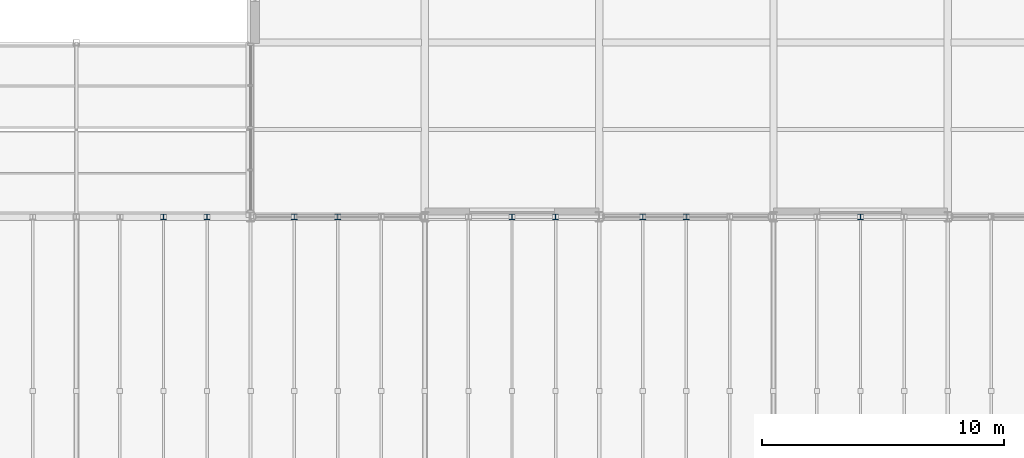
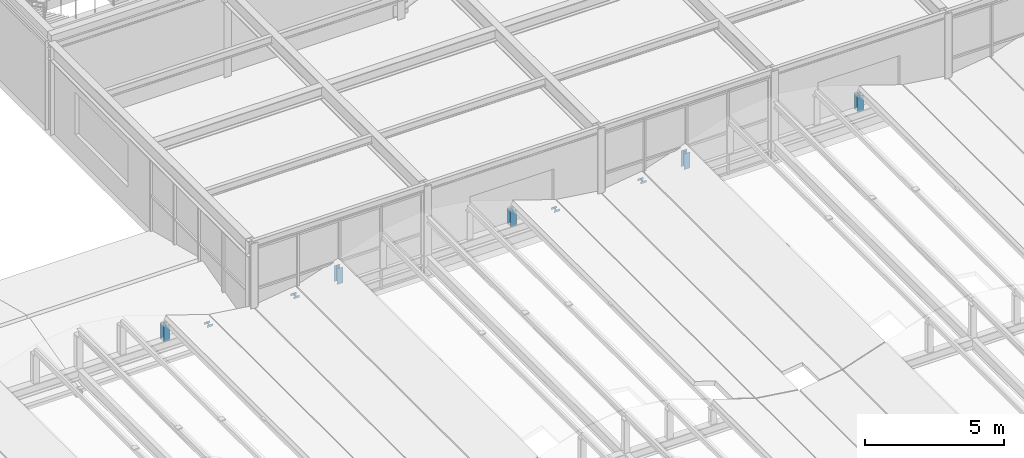
# One storey, part 48 of 83: 9 members.
"""IFC4 building model written with IfcOpenShell, lengths in metres."""

from ifc_helpers import new_model, si_unit, direction, frame, origin, origin_2d, place, context, subcontext, project, spatial, i_section, extrude, material, material_profile, profile_set, type_object, element, save


model = new_model("IFC4")

# Units and contexts
model_context = context("Model", 3, precision=1e-05, world=origin(), true_north=direction((0.0, 1.0)))
body_context = subcontext(model_context, "Body", "Model", "MODEL_VIEW")
ifc_project = project(units=[si_unit("LENGTHUNIT", "METRE"), si_unit("AREAUNIT", "SQUARE_METRE"), si_unit("VOLUMEUNIT", "CUBIC_METRE"), si_unit("PLANEANGLEUNIT", "RADIAN"), si_unit("MASSUNIT", "GRAM", prefix="KILO")], contexts=[model_context])

# Site, building, storey
site_placement = place(None, origin())
site = spatial("IfcSite", under=ifc_project, at=site_placement, CompositionType="ELEMENT")
building_placement = place(site_placement, origin())
building = spatial("IfcBuilding", under=site, at=building_placement, Name="Leyfeld Transit Interchange", CompositionType="ELEMENT")
storey_placement = place(building_placement, frame((0.0, 0.0, 5.39990234375)))
storey = spatial("IfcBuildingStorey", under=building, at=storey_placement, Name="L01", CompositionType="ELEMENT", Elevation=5.39990234375)

# Members
ifc_material = material(Name="Steel S355J2", Category="steel")
ifc_material_profile = material_profile(ifc_material, i_section(OverallWidth=0.239990234375, OverallDepth=0.22998046875, WebThickness=0.007568359375, FlangeThickness=0.011962890625, FilletRadius=0.02099609375, at=origin_2d()), Name="HEA 240")
ifc_profile_set = profile_set([ifc_material_profile], Name="Steel S355J2")
member_type = type_object("IfcMemberType", Name="MEM-CHD-HEA240", PredefinedType="CHORD", material=ifc_profile_set)
member_placement = place(storey_placement, frame((133.199951171875, 43.199951171875, 0.860107421875), z_axis=(0.0, 0.0, 1.0), x_axis=(1.0, 0.0, 0.0)))
element("IfcMember", 1, at=member_placement, inside=storey, type_object=member_type, Name="Wave Canopy Riser Post 125", PredefinedType="CHORD", context=body_context, shape_type="SweptSolid", body=[
    extrude(i_section(OverallWidth=0.239990234375, OverallDepth=0.22998046875, WebThickness=0.007568359375, FlangeThickness=0.011962890625, FilletRadius=0.02099609375, at=origin_2d()), origin(), (0.0, 0.0, 1.0), 0.696533203125),
])
for number, where, z_axis, x_axis, name in (
    (2, (135.0, 43.199951171875, 0.860107421875), (0.0, 0.0, 1.0), (1.0, 0.0, 0.0), "Wave Canopy Riser Post 132"),
    (3, (138.60009765625, 43.199951171875, 0.860107421875), (0.0, 0.0, 1.0), (1.0, 0.0, 0.0), "Wave Canopy Riser Post 142"),
):
    element("IfcMember", number, at=place(storey_placement, frame(where, z_axis=z_axis, x_axis=x_axis)), inside=storey, type_object=member_type, Name=name, PredefinedType="CHORD", context=body_context, shape_type="SweptSolid", body=[
        extrude(i_section(OverallWidth=0.239990234375, OverallDepth=0.22998046875, WebThickness=0.007568359375, FlangeThickness=0.011962890625, FilletRadius=0.02099609375, at=origin_2d()), origin(), (0.0, 0.0, 1.0), 0.0947265625),
    ])
for number, where, z_axis, x_axis, name in (
    (4, (140.39990234375, 43.199951171875, 0.860107421875), (0.0, 0.0, 1.0), (1.0, 0.0, 0.0), "Wave Canopy Riser Post 149"),
    (5, (147.60009765625, 43.199951171875, 0.860107421875), (0.0, 0.0, 1.0), (1.0, 0.0, 0.0), "Wave Canopy Riser Post 177"),
):
    element("IfcMember", number, at=place(storey_placement, frame(where, z_axis=z_axis, x_axis=x_axis)), inside=storey, type_object=member_type, Name=name, PredefinedType="CHORD", context=body_context, shape_type="SweptSolid", body=[
        extrude(i_section(OverallWidth=0.239990234375, OverallDepth=0.22998046875, WebThickness=0.007568359375, FlangeThickness=0.011962890625, FilletRadius=0.02099609375, at=origin_2d()), origin(), (0.0, 0.0, 1.0), 0.696533203125),
    ])
for number, where, z_axis, x_axis, name in (
    (6, (149.39990234375, 43.199951171875, 0.860107421875), (0.0, 0.0, 1.0), (1.0, 0.0, 0.0), "Wave Canopy Riser Post 184"),
    (7, (153.0, 43.199951171875, 0.860107421875), (0.0, 0.0, 1.0), (1.0, 0.0, 0.0), "Wave Canopy Riser Post 194"),
):
    element("IfcMember", number, at=place(storey_placement, frame(where, z_axis=z_axis, x_axis=x_axis)), inside=storey, type_object=member_type, Name=name, PredefinedType="CHORD", context=body_context, shape_type="SweptSolid", body=[
        extrude(i_section(OverallWidth=0.239990234375, OverallDepth=0.22998046875, WebThickness=0.007568359375, FlangeThickness=0.011962890625, FilletRadius=0.02099609375, at=origin_2d()), origin(), (0.0, 0.0, 1.0), 0.0947265625),
    ])
for number, where, z_axis, x_axis, name in (
    (8, (154.800048828125, 43.199951171875, 0.860107421875), (0.0, 0.0, 1.0), (1.0, 0.0, 0.0), "Wave Canopy Riser Post 201"),
    (9, (162.0, 43.199951171875, 0.860107421875), (0.0, 0.0, 1.0), (1.0, 0.0, 0.0), "Wave Canopy Riser Post 229"),
):
    element("IfcMember", number, at=place(storey_placement, frame(where, z_axis=z_axis, x_axis=x_axis)), inside=storey, type_object=member_type, Name=name, PredefinedType="CHORD", context=body_context, shape_type="SweptSolid", body=[
        extrude(i_section(OverallWidth=0.239990234375, OverallDepth=0.22998046875, WebThickness=0.007568359375, FlangeThickness=0.011962890625, FilletRadius=0.02099609375, at=origin_2d()), origin(), (0.0, 0.0, 1.0), 0.696533203125),
    ])

save(model, "model.ifc")
